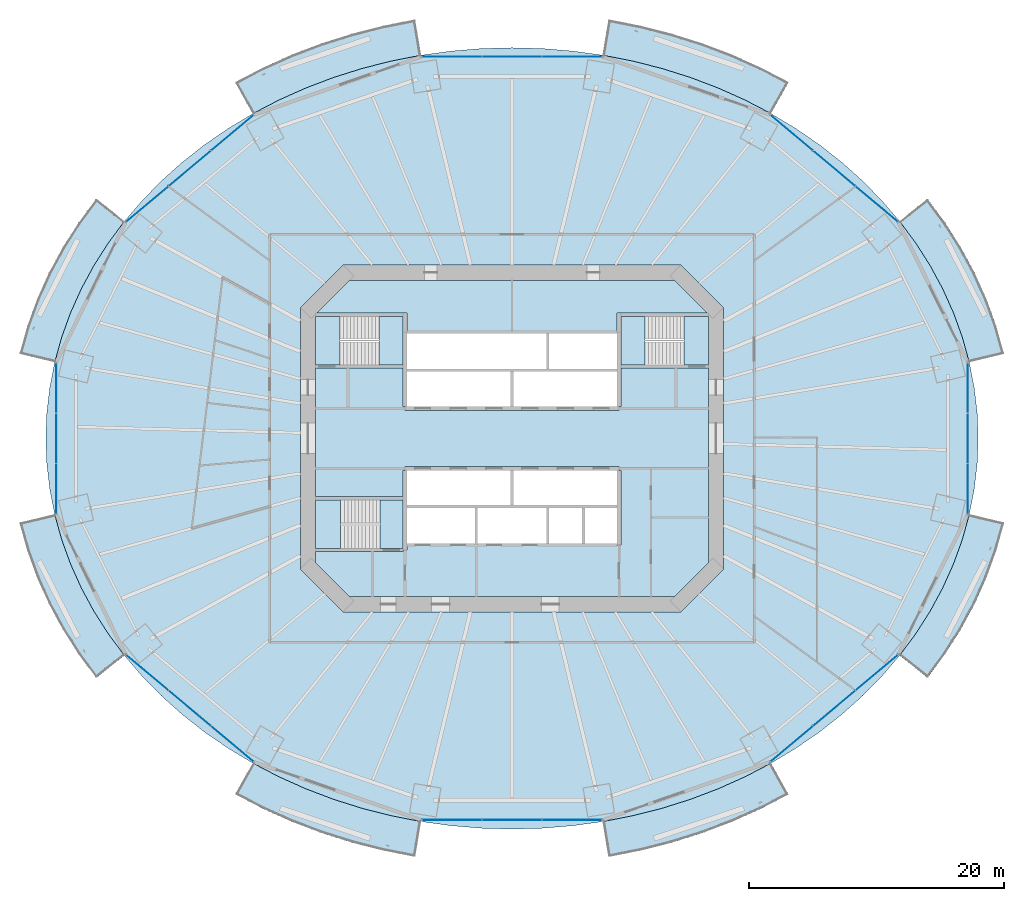
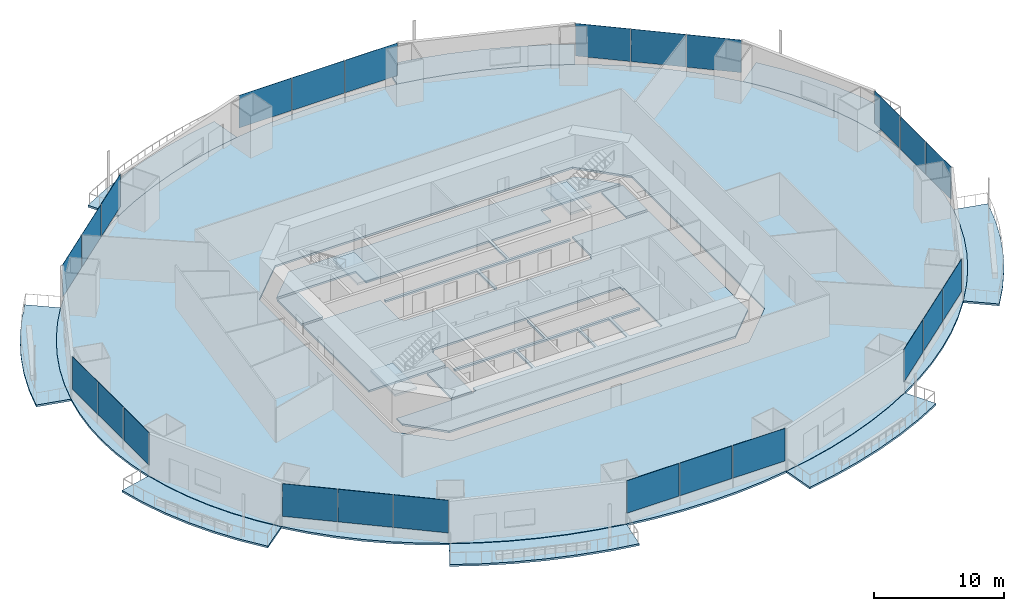
# One storey, part 13 of 23: 24 plates, 17 slabs, 11 elements without a shape of their own.
"""IFC4 building model written with IfcOpenShell, lengths in metres."""

from ifc_helpers import new_model, si_unit, direction, frame, origin, origin_2d, place, context, subcontext, project, spatial, polyline, rectangle, outline, extrude, material, layer, layer_set, type_object, element, aggregate, save


model = new_model("IFC4")

# Units and contexts
model_context = context("Model", 3, precision=1e-05, world=origin(), true_north=direction((0.0, 1.0)))
body_context = subcontext(model_context, "Body", "Model", "MODEL_VIEW")
ifc_project = project(units=[si_unit("LENGTHUNIT", "METRE"), si_unit("AREAUNIT", "SQUARE_METRE"), si_unit("VOLUMEUNIT", "CUBIC_METRE"), si_unit("PLANEANGLEUNIT", "RADIAN"), si_unit("MASSUNIT", "GRAM", prefix="KILO")], contexts=[model_context])

# Site, building, storey
site_placement = place(None, origin())
site = spatial("IfcSite", under=ifc_project, at=site_placement, CompositionType="ELEMENT")
building_placement = place(site_placement, origin())
building = spatial("IfcBuilding", under=site, at=building_placement, Name="Marenthal Gate Tower", CompositionType="ELEMENT")
storey_placement = place(building_placement, frame((0.0, 0.0, 49.60009765625)))
storey = spatial("IfcBuildingStorey", under=building, at=storey_placement, Name="L08", CompositionType="ELEMENT", Elevation=49.60009765625)

# Slabs
ifc_material_1 = material(Name="Concrete 40 MPa", Category="concrete")
ifc_layer_1 = layer(ifc_material_1, 0.179931640625)
ifc_layer_set_1 = layer_set([ifc_layer_1], Name="Balcony deck 180")
slab_type_1 = type_object("IfcSlabType", Name="Balcony deck 180", PredefinedType="USERDEFINED", material=ifc_layer_set_1)
slab_1_placement = place(storey_placement, frame((0.0, 0.0, -0.22021484375)))
element("IfcSlab", 1, at=slab_1_placement, inside=storey, type_object=slab_type_1, Name="Balcony deck L08 bay 1", ObjectType="BALCONY", PredefinedType="USERDEFINED", context=body_context, shape_type="SweptSolid", body=[
    extrude(outline(polyline([(35.85546875, 5.9765625), (35.312255859375, 7.928955078125), (34.617919921875, 9.847412109375), (33.775146484375, 11.723388671875), (32.787841796875, 13.549560546875), (31.66015625, 15.3173828125), (30.39697265625, 17.02001953125), (32.586181640625, 18.765625), (33.9658203125, 16.906005859375), (35.200927734375, 14.9697265625), (36.285400390625, 12.96435546875), (37.213134765625, 10.8984375), (37.979248046875, 8.78173828125), (38.579833984375, 6.623291015625), (35.85546875, 5.9765625)])), origin(), (0.0, 0.0, 1.0), 0.18017578125),
])
slab_2_placement = place(storey_placement, frame((0.0, 0.0, -0.22021484375)))
element("IfcSlab", 2, at=slab_2_placement, inside=storey, type_object=slab_type_1, Name="Balcony deck L08 bay 3", ObjectType="BALCONY", PredefinedType="USERDEFINED", context=body_context, shape_type="SweptSolid", body=[
    extrude(outline(polyline([(20.310546875, 25.47216796875), (18.279052734375, 26.53076171875), (16.169189453125, 27.4755859375), (13.989990234375, 28.302978515625), (11.751220703125, 29.00927734375), (9.4619140625, 29.591064453125), (7.132080078125, 30.04638671875), (7.592529296875, 32.808349609375), (10.075439453125, 32.322998046875), (12.517333984375, 31.702392578125), (14.908203125, 30.9482421875), (17.238525390625, 30.0634765625), (19.49853515625, 29.05126953125), (21.678466796875, 27.915283203125), (20.310546875, 25.47216796875)])), origin(), (0.0, 0.0, 1.0), 0.18017578125),
])
slab_3_placement = place(storey_placement, frame((0.0, 0.0, -0.22021484375)))
element("IfcSlab", 3, at=slab_3_placement, inside=storey, type_object=slab_type_1, Name="Balcony deck L08 bay 5", ObjectType="BALCONY", PredefinedType="USERDEFINED", context=body_context, shape_type="SweptSolid", body=[
    extrude(outline(polyline([(-7.132080078125, 30.04638671875), (-9.4619140625, 29.591064453125), (-11.751220703125, 29.00927734375), (-13.989990234375, 28.302978515625), (-16.169189453125, 27.4755859375), (-18.279052734375, 26.53076171875), (-20.310546875, 25.47216796875), (-21.678466796875, 27.915283203125), (-19.49853515625, 29.05126953125), (-17.238525390625, 30.0634765625), (-14.908203125, 30.9482421875), (-12.517333984375, 31.702392578125), (-10.075439453125, 32.322998046875), (-7.592529296875, 32.808349609375), (-7.132080078125, 30.04638671875)])), origin(), (0.0, 0.0, 1.0), 0.18017578125),
])
slab_4_placement = place(storey_placement, frame((0.0, 0.0, -0.22021484375)))
element("IfcSlab", 4, at=slab_4_placement, inside=storey, type_object=slab_type_1, Name="Balcony deck L08 bay 7", ObjectType="BALCONY", PredefinedType="USERDEFINED", context=body_context, shape_type="SweptSolid", body=[
    extrude(outline(polyline([(-30.39697265625, 17.02001953125), (-31.66015625, 15.3173828125), (-32.787841796875, 13.549560546875), (-33.775146484375, 11.723388671875), (-34.617919921875, 9.847412109375), (-35.312255859375, 7.928955078125), (-35.85546875, 5.9765625), (-38.579833984375, 6.623291015625), (-37.979248046875, 8.78173828125), (-37.213134765625, 10.8984375), (-36.285400390625, 12.96435546875), (-35.200927734375, 14.9697265625), (-33.9658203125, 16.906005859375), (-32.586181640625, 18.765625), (-30.39697265625, 17.02001953125)])), origin(), (0.0, 0.0, 1.0), 0.18017578125),
])
slab_5_placement = place(storey_placement, frame((0.0, 0.0, -0.22021484375)))
element("IfcSlab", 5, at=slab_5_placement, inside=storey, type_object=slab_type_1, Name="Balcony deck L08 bay 9", ObjectType="BALCONY", PredefinedType="USERDEFINED", context=body_context, shape_type="SweptSolid", body=[
    extrude(outline(polyline([(-35.85546875, -5.9765625), (-35.312255859375, -7.928955078125), (-34.617919921875, -9.847412109375), (-33.775146484375, -11.723388671875), (-32.787841796875, -13.549560546875), (-31.66015625, -15.3173828125), (-30.39697265625, -17.02001953125), (-32.586181640625, -18.765625), (-33.9658203125, -16.906005859375), (-35.200927734375, -14.9697265625), (-36.285400390625, -12.96435546875), (-37.213134765625, -10.8984375), (-37.979248046875, -8.78173828125), (-38.579833984375, -6.623291015625), (-35.85546875, -5.9765625)])), origin(), (0.0, 0.0, 1.0), 0.18017578125),
])
slab_6_placement = place(storey_placement, frame((0.0, 0.0, -0.22021484375)))
element("IfcSlab", 6, at=slab_6_placement, inside=storey, type_object=slab_type_1, Name="Balcony deck L08 bay 11", ObjectType="BALCONY", PredefinedType="USERDEFINED", context=body_context, shape_type="SweptSolid", body=[
    extrude(outline(polyline([(-20.310546875, -25.47216796875), (-18.279052734375, -26.53076171875), (-16.169189453125, -27.4755859375), (-13.989990234375, -28.302978515625), (-11.751220703125, -29.00927734375), (-9.4619140625, -29.591064453125), (-7.132080078125, -30.04638671875), (-7.592529296875, -32.808349609375), (-10.075439453125, -32.322998046875), (-12.517333984375, -31.702392578125), (-14.908203125, -30.9482421875), (-17.238525390625, -30.0634765625), (-19.49853515625, -29.05126953125), (-21.678466796875, -27.915283203125), (-20.310546875, -25.47216796875)])), origin(), (0.0, 0.0, 1.0), 0.18017578125),
])
slab_7_placement = place(storey_placement, frame((0.0, 0.0, -0.22021484375)))
element("IfcSlab", 7, at=slab_7_placement, inside=storey, type_object=slab_type_1, Name="Balcony deck L08 bay 13", ObjectType="BALCONY", PredefinedType="USERDEFINED", context=body_context, shape_type="SweptSolid", body=[
    extrude(outline(polyline([(7.132080078125, -30.04638671875), (9.4619140625, -29.591064453125), (11.751220703125, -29.00927734375), (13.989990234375, -28.302978515625), (16.169189453125, -27.4755859375), (18.279052734375, -26.53076171875), (20.310546875, -25.47216796875), (21.678466796875, -27.915283203125), (19.49853515625, -29.05126953125), (17.238525390625, -30.0634765625), (14.908203125, -30.9482421875), (12.517333984375, -31.702392578125), (10.075439453125, -32.322998046875), (7.592529296875, -32.808349609375), (7.132080078125, -30.04638671875)])), origin(), (0.0, 0.0, 1.0), 0.18017578125),
])
slab_8_placement = place(storey_placement, frame((0.0, 0.0, -0.22021484375)))
element("IfcSlab", 8, at=slab_8_placement, inside=storey, type_object=slab_type_1, Name="Balcony deck L08 bay 15", ObjectType="BALCONY", PredefinedType="USERDEFINED", context=body_context, shape_type="SweptSolid", body=[
    extrude(outline(polyline([(30.39697265625, -17.02001953125), (31.66015625, -15.3173828125), (32.787841796875, -13.549560546875), (33.775146484375, -11.723388671875), (34.617919921875, -9.847412109375), (35.312255859375, -7.928955078125), (35.85546875, -5.9765625), (38.579833984375, -6.623291015625), (37.979248046875, -8.78173828125), (37.213134765625, -10.8984375), (36.285400390625, -12.96435546875), (35.200927734375, -14.9697265625), (33.9658203125, -16.906005859375), (32.586181640625, -18.765625), (30.39697265625, -17.02001953125)])), origin(), (0.0, 0.0, 1.0), 0.18017578125),
])
ifc_material_2 = material(Name="Concrete 50 MPa", Category="concrete")
ifc_layer_2 = layer(ifc_material_2, 0.179931640625)
ifc_layer_set_2 = layer_set([ifc_layer_2], Name="Core floor slab 180")
slab_type_2 = type_object("IfcSlabType", Name="Core floor slab 180", PredefinedType="FLOOR", material=ifc_layer_set_2)
slab_9_placement = place(storey_placement, frame((0.0, 0.0, -0.18017578125)))
element("IfcSlab", 9, at=slab_9_placement, inside=storey, type_object=slab_type_2, Name="Core floor L08", PredefinedType="FLOOR", context=body_context, shape_type="SweptSolid", body=[
    extrude(outline(polyline([(15.39990234375, -9.75146484375), (12.75146484375, -12.39990234375), (-12.75146484375, -12.39990234375), (-15.39990234375, -9.75146484375), (-15.39990234375, -8.875), (-8.550048828125, -8.875), (-8.550048828125, -8.75), (-8.25, -8.75), (-8.25, -8.239990234375), (-5.60009765625, -8.239990234375), (-2.909912109375, -8.239990234375), (-2.909912109375, -5.4599609375), (-5.60009765625, -5.4599609375), (-8.25, -5.4599609375), (-8.25, -5.239990234375), (-5.60009765625, -5.239990234375), (-2.800048828125, -5.239990234375), (-0.110107421875, -5.239990234375), (-0.110107421875, -2.5), (0.110107421875, -2.5), (0.110107421875, -5.239990234375), (2.800048828125, -5.239990234375), (5.60009765625, -5.239990234375), (8.25, -5.239990234375), (8.25, -5.4599609375), (5.7099609375, -5.4599609375), (5.7099609375, -8.239990234375), (8.25, -8.239990234375), (8.25, -8.35009765625), (8.550048828125, -8.35009765625), (8.550048828125, -2.5), (8.39990234375, -2.5), (8.39990234375, -2.199951171875), (-8.39990234375, -2.199951171875), (-8.39990234375, -2.5), (-8.550048828125, -2.5), (-8.550048828125, -4.574951171875), (-15.39990234375, -4.574951171875), (-15.39990234375, 5.52490234375), (-8.550048828125, 5.52490234375), (-8.550048828125, 2.5), (-8.39990234375, 2.5), (-8.39990234375, 2.199951171875), (8.39990234375, 2.199951171875), (8.39990234375, 2.5), (8.550048828125, 2.5), (8.550048828125, 5.52490234375), (15.39990234375, 5.52490234375), (15.39990234375, -9.75146484375)]), holes=[polyline([(2.68994140625, -5.4599609375), (0.0, -5.4599609375), (-2.68994140625, -5.4599609375), (-2.68994140625, -8.239990234375), (0.0, -8.239990234375), (2.68994140625, -8.239990234375), (2.68994140625, -5.4599609375)]), polyline([(5.489990234375, -5.4599609375), (2.909912109375, -5.4599609375), (2.909912109375, -8.239990234375), (5.489990234375, -8.239990234375), (5.489990234375, -5.4599609375)])]), origin(), (0.0, 0.0, 1.0), 0.18017578125),
])
slab_10_placement = place(storey_placement, frame((0.0, 0.0, -0.18017578125)))
element("IfcSlab", 10, at=slab_10_placement, inside=storey, type_object=slab_type_2, Name="Core floor L08", PredefinedType="FLOOR", context=body_context, shape_type="SweptSolid", body=[
    extrude(outline(polyline([(15.39990234375, 5.77490234375), (13.5, 5.77490234375), (13.5, 9.574951171875), (15.39990234375, 9.574951171875), (15.39990234375, 5.77490234375)])), origin(), (0.0, 0.0, 1.0), 0.18017578125),
])
slab_11_placement = place(storey_placement, frame((0.0, 0.0, -0.18017578125)))
element("IfcSlab", 11, at=slab_11_placement, inside=storey, type_object=slab_type_2, Name="Core floor L08", PredefinedType="FLOOR", context=body_context, shape_type="SweptSolid", body=[
    extrude(outline(polyline([(12.75146484375, 12.39990234375), (15.326416015625, 9.824951171875), (8.550048828125, 9.824951171875), (8.25, 9.824951171875), (8.25, 8.35009765625), (8.25, 8.239990234375), (5.60009765625, 8.239990234375), (2.909912109375, 8.239990234375), (2.909912109375, 5.4599609375), (5.60009765625, 5.4599609375), (8.25, 5.4599609375), (8.25, 5.239990234375), (5.60009765625, 5.239990234375), (2.800048828125, 5.239990234375), (0.110107421875, 5.239990234375), (0.110107421875, 2.5), (-0.110107421875, 2.5), (-0.110107421875, 5.239990234375), (-2.800048828125, 5.239990234375), (-5.60009765625, 5.239990234375), (-8.25, 5.239990234375), (-8.25, 5.4599609375), (-5.60009765625, 5.4599609375), (-2.800048828125, 5.4599609375), (0.0, 5.4599609375), (2.68994140625, 5.4599609375), (2.68994140625, 8.239990234375), (0.0, 8.239990234375), (-2.800048828125, 8.239990234375), (-5.60009765625, 8.239990234375), (-8.25, 8.239990234375), (-8.25, 8.35009765625), (-8.25, 9.824951171875), (-8.550048828125, 9.824951171875), (-15.326416015625, 9.824951171875), (-12.75146484375, 12.39990234375), (12.75146484375, 12.39990234375)])), origin(), (0.0, 0.0, 1.0), 0.18017578125),
])
slab_12_placement = place(storey_placement, frame((0.0, 0.0, -0.18017578125)))
element("IfcSlab", 12, at=slab_12_placement, inside=storey, type_object=slab_type_2, Name="Core floor L08", PredefinedType="FLOOR", context=body_context, shape_type="SweptSolid", body=[
    extrude(outline(polyline([(-15.39990234375, 9.574951171875), (-13.5, 9.574951171875), (-13.5, 5.77490234375), (-15.39990234375, 5.77490234375), (-15.39990234375, 9.574951171875)])), origin(), (0.0, 0.0, 1.0), 0.18017578125),
])
slab_13_placement = place(storey_placement, frame((0.0, 0.0, -0.18017578125)))
element("IfcSlab", 13, at=slab_13_placement, inside=storey, type_object=slab_type_2, Name="Core floor L08", PredefinedType="FLOOR", context=body_context, shape_type="SweptSolid", body=[
    extrude(outline(polyline([(-8.550048828125, -8.625), (-10.35009765625, -8.625), (-10.35009765625, -4.824951171875), (-8.550048828125, -4.824951171875), (-8.550048828125, -8.625)])), origin(), (0.0, 0.0, 1.0), 0.18017578125),
])
ifc_material_3 = material(Name="Concrete 35 MPa", Category="concrete")
ifc_layer_3 = layer(ifc_material_3, 0.179931640625)
ifc_layer_set_3 = layer_set([ifc_layer_3], Name="Floor slab 180")
slab_type_3 = type_object("IfcSlabType", Name="Floor slab 180", PredefinedType="FLOOR", material=ifc_layer_set_3)
slab_14_placement = place(storey_placement, frame((0.0, 0.0, -0.18017578125)))
element("IfcSlab", 14, at=slab_14_placement, inside=storey, type_object=slab_type_3, Name="SL-L08-01", PredefinedType="FLOOR", context=body_context, shape_type="SweptSolid", body=[
    extrude(outline(polyline([(36.55810546875, 0.0), (36.479736328125, 2.003662109375), (36.2451171875, 3.998779296875), (35.85546875, 5.9765625), (35.312255859375, 7.928955078125), (34.617919921875, 9.847412109375), (33.775146484375, 11.723388671875), (32.787841796875, 13.549560546875), (31.66015625, 15.3173828125), (30.39697265625, 17.02001953125), (29.00341796875, 18.6494140625), (27.48583984375, 20.19921875), (25.850341796875, 21.662109375), (24.1044921875, 23.03271484375), (22.255126953125, 24.304443359375), (20.310546875, 25.47216796875), (18.279052734375, 26.53076171875), (16.169189453125, 27.4755859375), (13.989990234375, 28.302978515625), (11.751220703125, 29.00927734375), (9.4619140625, 29.591064453125), (7.132080078125, 30.04638671875), (4.771728515625, 30.372802734375), (2.39111328125, 30.5693359375), (0.0, 30.635009765625), (-2.39111328125, 30.5693359375), (-4.771728515625, 30.372802734375), (-7.132080078125, 30.04638671875), (-9.4619140625, 29.591064453125), (-11.751220703125, 29.00927734375), (-13.989990234375, 28.302978515625), (-16.169189453125, 27.4755859375), (-18.279052734375, 26.53076171875), (-20.310546875, 25.47216796875), (-22.255126953125, 24.304443359375), (-24.1044921875, 23.03271484375), (-25.850341796875, 21.662109375), (-27.48583984375, 20.19921875), (-29.00341796875, 18.6494140625), (-30.39697265625, 17.02001953125), (-31.66015625, 15.3173828125), (-32.787841796875, 13.549560546875), (-33.775146484375, 11.723388671875), (-34.617919921875, 9.847412109375), (-35.312255859375, 7.928955078125), (-35.85546875, 5.9765625), (-36.2451171875, 3.998779296875), (-36.479736328125, 2.003662109375), (-36.55810546875, 0.0), (-36.479736328125, -2.003662109375), (-36.2451171875, -3.998779296875), (-35.85546875, -5.9765625), (-35.312255859375, -7.928955078125), (-34.617919921875, -9.847412109375), (-33.775146484375, -11.723388671875), (-32.787841796875, -13.549560546875), (-31.66015625, -15.3173828125), (-30.39697265625, -17.02001953125), (-29.00341796875, -18.6494140625), (-27.48583984375, -20.19921875), (-25.850341796875, -21.662109375), (-24.1044921875, -23.03271484375), (-22.255126953125, -24.304443359375), (-20.310546875, -25.47216796875), (-18.279052734375, -26.53076171875), (-16.169189453125, -27.4755859375), (-13.989990234375, -28.302978515625), (-11.751220703125, -29.00927734375), (-9.4619140625, -29.591064453125), (-7.132080078125, -30.04638671875), (-4.771728515625, -30.372802734375), (-2.39111328125, -30.5693359375), (0.0, -30.635009765625), (2.39111328125, -30.5693359375), (4.771728515625, -30.372802734375), (7.132080078125, -30.04638671875), (9.4619140625, -29.591064453125), (11.751220703125, -29.00927734375), (13.989990234375, -28.302978515625), (16.169189453125, -27.4755859375), (18.279052734375, -26.53076171875), (20.310546875, -25.47216796875), (22.255126953125, -24.304443359375), (24.1044921875, -23.03271484375), (25.850341796875, -21.662109375), (27.48583984375, -20.19921875), (29.00341796875, -18.6494140625), (30.39697265625, -17.02001953125), (31.66015625, -15.3173828125), (32.787841796875, -13.549560546875), (33.775146484375, -11.723388671875), (34.617919921875, -9.847412109375), (35.312255859375, -7.928955078125), (35.85546875, -5.9765625), (36.2451171875, -3.998779296875), (36.479736328125, -2.003662109375), (36.55810546875, 0.0)]), holes=[polyline([(13.24853515625, -13.60009765625), (16.60009765625, -10.24853515625), (16.60009765625, 10.24853515625), (13.24853515625, 13.60009765625), (-13.24853515625, 13.60009765625), (-16.60009765625, 10.24853515625), (-16.60009765625, -10.24853515625), (-13.24853515625, -13.60009765625), (13.24853515625, -13.60009765625)])]), origin(), (0.0, 0.0, 1.0), 0.18017578125),
])

# Curtain wall, plates
ifc_material_4 = material(Name="Aluminium and glass", Category="aluminium")
curtain_wall_type = type_object("IfcCurtainWallType", Name="Curtain wall typical low", PredefinedType="NOTDEFINED", material=ifc_material_4)
curtain_wall_1_placement = place(storey_placement, origin())
curtain_wall_1 = element("IfcCurtainWall", 15, at=curtain_wall_1_placement, inside=storey, type_object=curtain_wall_type, Name="Curtain wall L08 bay 2", PredefinedType="NOTDEFINED")
ifc_material_5 = material(Name="Glass, laminated insulating unit", Category="glass")
ifc_layer_4 = layer(ifc_material_5, 0.030029296875)
ifc_layer_set_4 = layer_set([ifc_layer_4], Name="Glass panel 30 typical low")
plate_type = type_object("IfcPlateType", Name="Glass panel 30 typical low", PredefinedType="CURTAIN_PANEL", material=ifc_layer_set_4)
plate_1_placement = place(storey_placement, frame((28.606201171875, 18.369140625, 0.89990234375), z_axis=(0.0, 0.0, 1.0), x_axis=(-0.766665046336, 0.642047277641, 0.0)))
plate_1 = element("IfcPlate", 16, at=plate_1_placement, type_object=plate_type, Name="Glass panel L08 bay 2.1", PredefinedType="CURTAIN_PANEL", context=body_context, shape_type="SweptSolid", body=[
    extrude(rectangle(XDim=4.291015625, YDim=0.030029296875, at=origin_2d()), origin(), (0.0, 0.0, 1.0), 3.070068359375),
])
plate_2_placement = place(storey_placement, frame((25.2705078125, 21.162841796875, 0.89990234375), z_axis=(0.0, 0.0, 1.0), x_axis=(-0.766665046336, 0.642047277641, 0.0)))
plate_2 = element("IfcPlate", 17, at=plate_2_placement, type_object=plate_type, Name="Glass panel L08 bay 2.2", PredefinedType="CURTAIN_PANEL", context=body_context, shape_type="SweptSolid", body=[
    extrude(rectangle(XDim=4.291015625, YDim=0.030029296875, at=origin_2d()), origin(), (0.0, 0.0, 1.0), 3.070068359375),
])
plate_3_placement = place(storey_placement, frame((21.934814453125, 23.956298828125, 0.89990234375), z_axis=(0.0, 0.0, 1.0), x_axis=(-0.766665046336, 0.642047277641, 0.0)))
plate_3 = element("IfcPlate", 18, at=plate_3_placement, type_object=plate_type, Name="Glass panel L08 bay 2.3", PredefinedType="CURTAIN_PANEL", context=body_context, shape_type="SweptSolid", body=[
    extrude(rectangle(XDim=4.291015625, YDim=0.030029296875, at=origin_2d()), origin(), (0.0, 0.0, 1.0), 3.070068359375),
])
aggregate(curtain_wall_1, [plate_1, plate_2, plate_3])

curtain_wall_2_placement = place(storey_placement, origin())
curtain_wall_2 = element("IfcCurtainWall", 19, at=curtain_wall_2_placement, inside=storey, type_object=curtain_wall_type, Name="Curtain wall L08 bay 4", PredefinedType="NOTDEFINED")
plate_4_placement = place(storey_placement, frame((4.71923828125, 29.9287109375, 0.89990234375), z_axis=(0.0, 0.0, 1.0), x_axis=(-1.0, 0.0, 0.0)))
plate_4 = element("IfcPlate", 20, at=plate_4_placement, type_object=plate_type, Name="Glass panel L08 bay 4.1", PredefinedType="CURTAIN_PANEL", context=body_context, shape_type="SweptSolid", body=[
    extrude(rectangle(XDim=4.6591796875, YDim=0.030029296875, at=origin_2d()), origin(), (0.0, 0.0, 1.0), 3.070068359375),
])
plate_5_placement = place(storey_placement, frame((0.0, 29.9287109375, 0.89990234375), z_axis=(0.0, 0.0, 1.0), x_axis=(-1.0, 0.0, 0.0)))
plate_5 = element("IfcPlate", 21, at=plate_5_placement, type_object=plate_type, Name="Glass panel L08 bay 4.2", PredefinedType="CURTAIN_PANEL", context=body_context, shape_type="SweptSolid", body=[
    extrude(rectangle(XDim=4.6591796875, YDim=0.030029296875, at=origin_2d()), origin(), (0.0, 0.0, 1.0), 3.070068359375),
])
plate_6_placement = place(storey_placement, frame((-4.71923828125, 29.9287109375, 0.89990234375), z_axis=(0.0, 0.0, 1.0), x_axis=(-1.0, 0.0, 0.0)))
plate_6 = element("IfcPlate", 22, at=plate_6_placement, type_object=plate_type, Name="Glass panel L08 bay 4.3", PredefinedType="CURTAIN_PANEL", context=body_context, shape_type="SweptSolid", body=[
    extrude(rectangle(XDim=4.6591796875, YDim=0.030029296875, at=origin_2d()), origin(), (0.0, 0.0, 1.0), 3.070068359375),
])
aggregate(curtain_wall_2, [plate_4, plate_5, plate_6])

curtain_wall_3_placement = place(storey_placement, origin())
curtain_wall_3 = element("IfcCurtainWall", 23, at=curtain_wall_3_placement, inside=storey, type_object=curtain_wall_type, Name="Curtain wall L08 bay 6", PredefinedType="NOTDEFINED")
plate_7_placement = place(storey_placement, frame((-21.934814453125, 23.956298828125, 0.89990234375), z_axis=(0.0, 0.0, 1.0), x_axis=(-0.766665046336, -0.642047277641, 0.0)))
plate_7 = element("IfcPlate", 24, at=plate_7_placement, type_object=plate_type, Name="Glass panel L08 bay 6.1", PredefinedType="CURTAIN_PANEL", context=body_context, shape_type="SweptSolid", body=[
    extrude(rectangle(XDim=4.291015625, YDim=0.030029296875, at=origin_2d()), origin(), (0.0, 0.0, 1.0), 3.070068359375),
])
plate_8_placement = place(storey_placement, frame((-25.2705078125, 21.162841796875, 0.89990234375), z_axis=(0.0, 0.0, 1.0), x_axis=(-0.766665046336, -0.642047277641, 0.0)))
plate_8 = element("IfcPlate", 25, at=plate_8_placement, type_object=plate_type, Name="Glass panel L08 bay 6.2", PredefinedType="CURTAIN_PANEL", context=body_context, shape_type="SweptSolid", body=[
    extrude(rectangle(XDim=4.291015625, YDim=0.030029296875, at=origin_2d()), origin(), (0.0, 0.0, 1.0), 3.070068359375),
])
plate_9_placement = place(storey_placement, frame((-28.606201171875, 18.369140625, 0.89990234375), z_axis=(0.0, 0.0, 1.0), x_axis=(-0.766665046336, -0.642047277641, 0.0)))
plate_9 = element("IfcPlate", 26, at=plate_9_placement, type_object=plate_type, Name="Glass panel L08 bay 6.3", PredefinedType="CURTAIN_PANEL", context=body_context, shape_type="SweptSolid", body=[
    extrude(rectangle(XDim=4.291015625, YDim=0.030029296875, at=origin_2d()), origin(), (0.0, 0.0, 1.0), 3.070068359375),
])
aggregate(curtain_wall_3, [plate_7, plate_8, plate_9])

curtain_wall_4_placement = place(storey_placement, origin())
curtain_wall_4 = element("IfcCurtainWall", 27, at=curtain_wall_4_placement, inside=storey, type_object=curtain_wall_type, Name="Curtain wall L08 bay 8", PredefinedType="NOTDEFINED")
plate_10_placement = place(storey_placement, frame((-35.73779296875, 3.94873046875, 0.89990234375), z_axis=(0.0, 0.0, 1.0), x_axis=(0.0, -1.0, 0.0)))
plate_10 = element("IfcPlate", 28, at=plate_10_placement, type_object=plate_type, Name="Glass panel L08 bay 8.1", PredefinedType="CURTAIN_PANEL", context=body_context, shape_type="SweptSolid", body=[
    extrude(rectangle(XDim=3.888916015625, YDim=0.030029296875, at=origin_2d()), origin(), (0.0, 0.0, 1.0), 3.070068359375),
])
plate_11_placement = place(storey_placement, frame((-35.73779296875, 0.0, 0.89990234375), z_axis=(0.0, 0.0, 1.0), x_axis=(0.0, -1.0, 0.0)))
plate_11 = element("IfcPlate", 29, at=plate_11_placement, type_object=plate_type, Name="Glass panel L08 bay 8.2", PredefinedType="CURTAIN_PANEL", context=body_context, shape_type="SweptSolid", body=[
    extrude(rectangle(XDim=3.888916015625, YDim=0.030029296875, at=origin_2d()), origin(), (0.0, 0.0, 1.0), 3.070068359375),
])
plate_12_placement = place(storey_placement, frame((-35.73779296875, -3.94873046875, 0.89990234375), z_axis=(0.0, 0.0, 1.0), x_axis=(0.0, -1.0, 0.0)))
plate_12 = element("IfcPlate", 30, at=plate_12_placement, type_object=plate_type, Name="Glass panel L08 bay 8.3", PredefinedType="CURTAIN_PANEL", context=body_context, shape_type="SweptSolid", body=[
    extrude(rectangle(XDim=3.888916015625, YDim=0.030029296875, at=origin_2d()), origin(), (0.0, 0.0, 1.0), 3.070068359375),
])
aggregate(curtain_wall_4, [plate_10, plate_11, plate_12])

curtain_wall_5_placement = place(storey_placement, origin())
curtain_wall_5 = element("IfcCurtainWall", 31, at=curtain_wall_5_placement, inside=storey, type_object=curtain_wall_type, Name="Curtain wall L08 bay 10", PredefinedType="NOTDEFINED")
plate_13_placement = place(storey_placement, frame((-28.606201171875, -18.369140625, 0.89990234375), z_axis=(0.0, 0.0, 1.0), x_axis=(0.766665046336, -0.642047277641, 0.0)))
plate_13 = element("IfcPlate", 32, at=plate_13_placement, type_object=plate_type, Name="Glass panel L08 bay 10.1", PredefinedType="CURTAIN_PANEL", context=body_context, shape_type="SweptSolid", body=[
    extrude(rectangle(XDim=4.291015625, YDim=0.030029296875, at=origin_2d()), origin(), (0.0, 0.0, 1.0), 3.070068359375),
])
plate_14_placement = place(storey_placement, frame((-25.2705078125, -21.162841796875, 0.89990234375), z_axis=(0.0, 0.0, 1.0), x_axis=(0.766665046336, -0.642047277641, 0.0)))
plate_14 = element("IfcPlate", 33, at=plate_14_placement, type_object=plate_type, Name="Glass panel L08 bay 10.2", PredefinedType="CURTAIN_PANEL", context=body_context, shape_type="SweptSolid", body=[
    extrude(rectangle(XDim=4.291015625, YDim=0.030029296875, at=origin_2d()), origin(), (0.0, 0.0, 1.0), 3.070068359375),
])
plate_15_placement = place(storey_placement, frame((-21.934814453125, -23.956298828125, 0.89990234375), z_axis=(0.0, 0.0, 1.0), x_axis=(0.766665046336, -0.642047277641, 0.0)))
plate_15 = element("IfcPlate", 34, at=plate_15_placement, type_object=plate_type, Name="Glass panel L08 bay 10.3", PredefinedType="CURTAIN_PANEL", context=body_context, shape_type="SweptSolid", body=[
    extrude(rectangle(XDim=4.291015625, YDim=0.030029296875, at=origin_2d()), origin(), (0.0, 0.0, 1.0), 3.070068359375),
])
aggregate(curtain_wall_5, [plate_13, plate_14, plate_15])

curtain_wall_6_placement = place(storey_placement, origin())
curtain_wall_6 = element("IfcCurtainWall", 35, at=curtain_wall_6_placement, inside=storey, type_object=curtain_wall_type, Name="Curtain wall L08 bay 12", PredefinedType="NOTDEFINED")
plate_16_placement = place(storey_placement, frame((-4.71923828125, -29.9287109375, 0.89990234375), z_axis=(0.0, 0.0, 1.0), x_axis=(1.0, 0.0, 0.0)))
plate_16 = element("IfcPlate", 36, at=plate_16_placement, type_object=plate_type, Name="Glass panel L08 bay 12.1", PredefinedType="CURTAIN_PANEL", context=body_context, shape_type="SweptSolid", body=[
    extrude(rectangle(XDim=4.6591796875, YDim=0.030029296875, at=origin_2d()), origin(), (0.0, 0.0, 1.0), 3.070068359375),
])
plate_17_placement = place(storey_placement, frame((0.0, -29.9287109375, 0.89990234375), z_axis=(0.0, 0.0, 1.0), x_axis=(1.0, 0.0, 0.0)))
plate_17 = element("IfcPlate", 37, at=plate_17_placement, type_object=plate_type, Name="Glass panel L08 bay 12.2", PredefinedType="CURTAIN_PANEL", context=body_context, shape_type="SweptSolid", body=[
    extrude(rectangle(XDim=4.6591796875, YDim=0.030029296875, at=origin_2d()), origin(), (0.0, 0.0, 1.0), 3.070068359375),
])
plate_18_placement = place(storey_placement, frame((4.71923828125, -29.9287109375, 0.89990234375), z_axis=(0.0, 0.0, 1.0), x_axis=(1.0, 0.0, 0.0)))
plate_18 = element("IfcPlate", 38, at=plate_18_placement, type_object=plate_type, Name="Glass panel L08 bay 12.3", PredefinedType="CURTAIN_PANEL", context=body_context, shape_type="SweptSolid", body=[
    extrude(rectangle(XDim=4.6591796875, YDim=0.030029296875, at=origin_2d()), origin(), (0.0, 0.0, 1.0), 3.070068359375),
])
aggregate(curtain_wall_6, [plate_16, plate_17, plate_18])

curtain_wall_7_placement = place(storey_placement, origin())
curtain_wall_7 = element("IfcCurtainWall", 39, at=curtain_wall_7_placement, inside=storey, type_object=curtain_wall_type, Name="Curtain wall L08 bay 14", PredefinedType="NOTDEFINED")
plate_19_placement = place(storey_placement, frame((21.934814453125, -23.956298828125, 0.89990234375), z_axis=(0.0, 0.0, 1.0), x_axis=(0.766665046336, 0.642047277641, 0.0)))
plate_19 = element("IfcPlate", 40, at=plate_19_placement, type_object=plate_type, Name="Glass panel L08 bay 14.1", PredefinedType="CURTAIN_PANEL", context=body_context, shape_type="SweptSolid", body=[
    extrude(rectangle(XDim=4.291015625, YDim=0.030029296875, at=origin_2d()), origin(), (0.0, 0.0, 1.0), 3.070068359375),
])
plate_20_placement = place(storey_placement, frame((25.2705078125, -21.162841796875, 0.89990234375), z_axis=(0.0, 0.0, 1.0), x_axis=(0.766665046336, 0.642047277641, 0.0)))
plate_20 = element("IfcPlate", 41, at=plate_20_placement, type_object=plate_type, Name="Glass panel L08 bay 14.2", PredefinedType="CURTAIN_PANEL", context=body_context, shape_type="SweptSolid", body=[
    extrude(rectangle(XDim=4.291015625, YDim=0.030029296875, at=origin_2d()), origin(), (0.0, 0.0, 1.0), 3.070068359375),
])
plate_21_placement = place(storey_placement, frame((28.606201171875, -18.369140625, 0.89990234375), z_axis=(0.0, 0.0, 1.0), x_axis=(0.766665046336, 0.642047277641, 0.0)))
plate_21 = element("IfcPlate", 42, at=plate_21_placement, type_object=plate_type, Name="Glass panel L08 bay 14.3", PredefinedType="CURTAIN_PANEL", context=body_context, shape_type="SweptSolid", body=[
    extrude(rectangle(XDim=4.291015625, YDim=0.030029296875, at=origin_2d()), origin(), (0.0, 0.0, 1.0), 3.070068359375),
])
aggregate(curtain_wall_7, [plate_19, plate_20, plate_21])

curtain_wall_8_placement = place(storey_placement, origin())
curtain_wall_8 = element("IfcCurtainWall", 43, at=curtain_wall_8_placement, inside=storey, type_object=curtain_wall_type, Name="Curtain wall L08 bay 16", PredefinedType="NOTDEFINED")
plate_22_placement = place(storey_placement, frame((35.73779296875, -3.94873046875, 0.89990234375), z_axis=(0.0, 0.0, 1.0), x_axis=(0.0, 1.0, 0.0)))
plate_22 = element("IfcPlate", 44, at=plate_22_placement, type_object=plate_type, Name="Glass panel L08 bay 16.1", PredefinedType="CURTAIN_PANEL", context=body_context, shape_type="SweptSolid", body=[
    extrude(rectangle(XDim=3.888916015625, YDim=0.030029296875, at=origin_2d()), origin(), (0.0, 0.0, 1.0), 3.070068359375),
])
plate_23_placement = place(storey_placement, frame((35.73779296875, 0.0, 0.89990234375), z_axis=(0.0, 0.0, 1.0), x_axis=(0.0, 1.0, 0.0)))
plate_23 = element("IfcPlate", 45, at=plate_23_placement, type_object=plate_type, Name="Glass panel L08 bay 16.2", PredefinedType="CURTAIN_PANEL", context=body_context, shape_type="SweptSolid", body=[
    extrude(rectangle(XDim=3.888916015625, YDim=0.030029296875, at=origin_2d()), origin(), (0.0, 0.0, 1.0), 3.070068359375),
])
plate_24_placement = place(storey_placement, frame((35.73779296875, 3.94873046875, 0.89990234375), z_axis=(0.0, 0.0, 1.0), x_axis=(0.0, 1.0, 0.0)))
plate_24 = element("IfcPlate", 46, at=plate_24_placement, type_object=plate_type, Name="Glass panel L08 bay 16.3", PredefinedType="CURTAIN_PANEL", context=body_context, shape_type="SweptSolid", body=[
    extrude(rectangle(XDim=3.888916015625, YDim=0.030029296875, at=origin_2d()), origin(), (0.0, 0.0, 1.0), 3.070068359375),
])
aggregate(curtain_wall_8, [plate_22, plate_23, plate_24])

# Stair, slab
ifc_material_6 = material(Name="Concrete 40 MPa", Category="concrete")
stair_type = type_object("IfcStairType", Name="Exit stair 1800", PredefinedType="HALF_TURN_STAIR", material=ifc_material_6)
stair_1_placement = place(storey_placement, origin())
stair_1 = element("IfcStair", 47, at=stair_1_placement, inside=storey, type_object=stair_type, Name="Stair ST1", PredefinedType="HALF_TURN_STAIR")
ifc_material_7 = material(Name="Concrete 40 MPa", Category="concrete")
ifc_layer_5 = layer(ifc_material_7, 0.199951171875)
ifc_layer_set_5 = layer_set([ifc_layer_5], Name="Stair landing 200")
slab_type_4 = type_object("IfcSlabType", Name="Stair landing 200", PredefinedType="LANDING", material=ifc_layer_set_5)
slab_15_placement = place(storey_placement, frame((0.0, 0.0, 1.875)))
slab_15 = element("IfcSlab", 48, at=slab_15_placement, type_object=slab_type_4, Name="ST1 landing 1", PredefinedType="LANDING", context=body_context, shape_type="SweptSolid", body=[
    extrude(outline(polyline([(-10.419921875, 5.77490234375), (-8.550048828125, 5.77490234375), (-8.550048828125, 9.574951171875), (-10.419921875, 9.574951171875), (-10.419921875, 5.77490234375)])), origin(), (0.0, 0.0, 1.0), 0.199951171875),
])
aggregate(stair_1, [slab_15])

stair_2_placement = place(storey_placement, origin())
stair_2 = element("IfcStair", 49, at=stair_2_placement, inside=storey, type_object=stair_type, Name="Stair ST2", PredefinedType="HALF_TURN_STAIR")
slab_16_placement = place(storey_placement, frame((0.0, 0.0, 1.875)))
slab_16 = element("IfcSlab", 50, at=slab_16_placement, type_object=slab_type_4, Name="ST2 landing 1", PredefinedType="LANDING", context=body_context, shape_type="SweptSolid", body=[
    extrude(outline(polyline([(-15.39990234375, -8.625), (-13.429931640625, -8.625), (-13.429931640625, -4.824951171875), (-15.39990234375, -4.824951171875), (-15.39990234375, -8.625)])), origin(), (0.0, 0.0, 1.0), 0.199951171875),
])
aggregate(stair_2, [slab_16])

stair_3_placement = place(storey_placement, origin())
stair_3 = element("IfcStair", 51, at=stair_3_placement, inside=storey, type_object=stair_type, Name="Stair ST3", PredefinedType="HALF_TURN_STAIR")
slab_17_placement = place(storey_placement, frame((0.0, 0.0, 1.875)))
slab_17 = element("IfcSlab", 52, at=slab_17_placement, type_object=slab_type_4, Name="ST3 landing 1", PredefinedType="LANDING", context=body_context, shape_type="SweptSolid", body=[
    extrude(outline(polyline([(8.550048828125, 5.77490234375), (10.419921875, 5.77490234375), (10.419921875, 9.574951171875), (8.550048828125, 9.574951171875), (8.550048828125, 5.77490234375)])), origin(), (0.0, 0.0, 1.0), 0.199951171875),
])
aggregate(stair_3, [slab_17])

save(model, "model.ifc")
